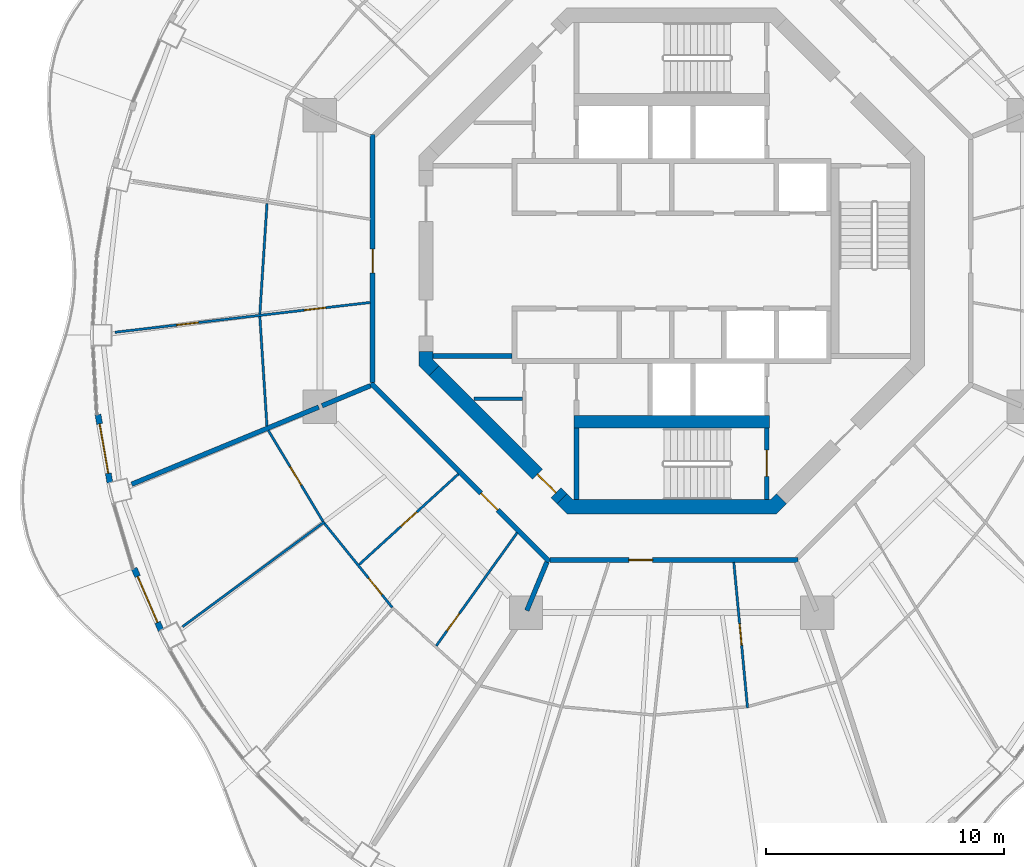
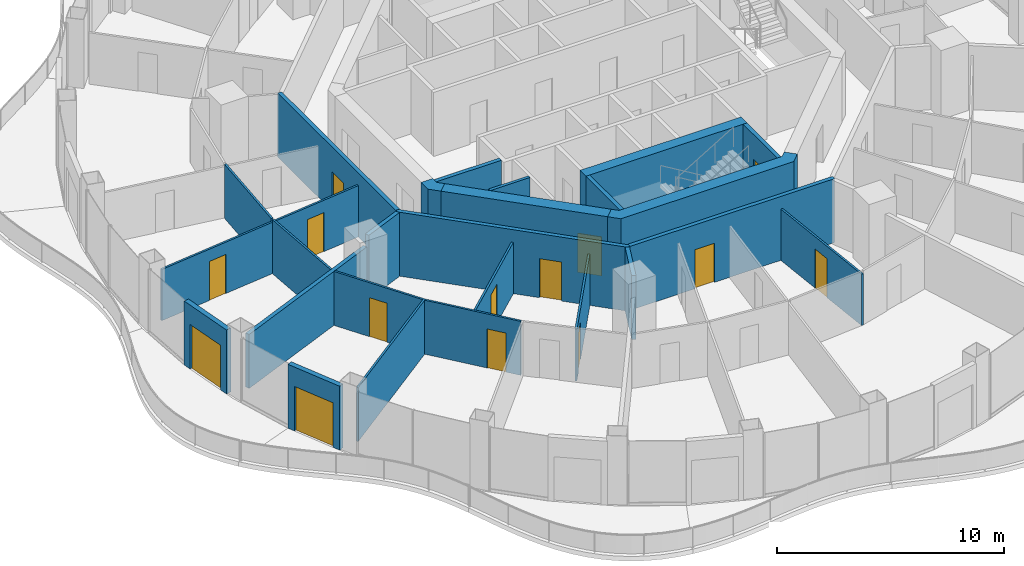
# One storey, part 10 of 18: 25 walls, 14 doors, 14 openings.
"""IFC4 building model written with IfcOpenShell, lengths in metres."""

from ifc_helpers import new_model, si_unit, direction, frame, frame_2d, origin, place, context, subcontext, project, spatial, polyline, rectangle, outline, extrude, material, layer, layer_set, type_object, element, fill, save


model = new_model("IFC4")

# Units and contexts
model_context = context("Model", 3, precision=1e-05, world=origin(), true_north=direction((0.0, 1.0)))
body_context = subcontext(model_context, "Body", "Model", "MODEL_VIEW")
ifc_project = project(units=[si_unit("LENGTHUNIT", "METRE"), si_unit("AREAUNIT", "SQUARE_METRE"), si_unit("VOLUMEUNIT", "CUBIC_METRE"), si_unit("PLANEANGLEUNIT", "RADIAN"), si_unit("MASSUNIT", "GRAM", prefix="KILO")], contexts=[model_context])

# Site, building, storey
site_placement = place(None, origin())
site = spatial("IfcSite", under=ifc_project, at=site_placement, CompositionType="ELEMENT")
building_placement = place(site_placement, origin())
building = spatial("IfcBuilding", under=site, at=building_placement, Name="Nagisa Residences", CompositionType="ELEMENT")
storey_placement = place(building_placement, frame((0.0, 0.0, 284.39990234375)))
storey = spatial("IfcBuildingStorey", under=building, at=storey_placement, Name="L72", CompositionType="ELEMENT", Elevation=284.39990234375)

# Walls
ifc_material_1 = material(Name="Gypsum board on steel studs", Category="steel")
ifc_layer_1 = layer(ifc_material_1, 0.199951171875)
ifc_layer_set_1 = layer_set([ifc_layer_1], Name="Apartment compartment wall EI60 200")
wall_type_1 = type_object("IfcWallType", Name="Apartment compartment wall EI60 200", PredefinedType="PARTITIONING", material=ifc_layer_set_1)
wall_1_placement = place(storey_placement, frame((-12.6572265625, -5.24267578125, 0.0), z_axis=(0.0, 0.0, 1.0), x_axis=(-0.923859888513, -0.38273085373, 0.0)))
element("IfcWall", 1, at=wall_1_placement, inside=storey, type_object=wall_type_1, Name="wall:L72:u06", PredefinedType="PARTITIONING", context=body_context, shape_type="SweptSolid", body=[
    extrude(rectangle(XDim=2.199462890625, YDim=0.199951171875, at=frame_2d((1.099609375, 0.0))), origin(), (0.0, 0.0, 1.0), 3.440185546875),
])
wall_2_placement = place(storey_placement, frame((-14.828369140625, -6.14208984375, 0.0), z_axis=(0.0, 0.0, 1.0), x_axis=(-0.924478087429, -0.381235184451, 0.0)))
element("IfcWall", 2, at=wall_2_placement, inside=storey, type_object=wall_type_1, Name="wall:L72:u07", PredefinedType="PARTITIONING", context=body_context, shape_type="SweptSolid", body=[
    extrude(rectangle(XDim=8.499267578125, YDim=0.199951171875, at=frame_2d((4.24951171875, 0.0))), origin(), (0.0, 0.0, 1.0), 2.905029296875),
])
wall_3_placement = place(storey_placement, frame((-5.24267578125, -12.6572265625, 0.0), z_axis=(0.0, 0.0, 1.0), x_axis=(-0.382770106157, -0.923843626288, 0.0)))
element("IfcWall", 3, at=wall_3_placement, inside=storey, type_object=wall_type_1, Name="wall:L72:u08", PredefinedType="PARTITIONING", context=body_context, shape_type="SweptSolid", body=[
    extrude(rectangle(XDim=2.19921875, YDim=0.199951171875, at=frame_2d((1.099609375, 0.0))), origin(), (0.0, 0.0, 1.0), 3.440185546875),
])

# Wall, opening, door
ifc_material_2 = material(Name="Gypsum board on steel studs", Category="steel")
ifc_layer_2 = layer(ifc_material_2, 0.199951171875)
ifc_layer_set_2 = layer_set([ifc_layer_2], Name="Apartment entry wall EI60 200")
wall_type_2 = type_object("IfcWallType", Name="Apartment entry wall EI60 200", PredefinedType="PARTITIONING", material=ifc_layer_set_2)
wall_4_placement = place(storey_placement, frame((-12.564697265625, 5.304443359375, 0.0), z_axis=(0.0, 0.0, 1.0), x_axis=(0.0, -1.0, 0.0)))
wall_4 = element("IfcWall", 4, at=wall_4_placement, inside=storey, type_object=wall_type_2, Name="wall:L72:u18", PredefinedType="PARTITIONING", context=body_context, shape_type="SweptSolid", body=[
    extrude(rectangle(XDim=10.408935546875, YDim=0.199951171875, at=frame_2d((5.20458984375, 0.0))), origin(), (0.0, 0.0, 1.0), 3.440185546875),
])
opening_1_placement = place(wall_4_placement, frame((4.804443359375, 0.0, 0.0)))
opening_1 = element("IfcOpeningElement", 5, at=opening_1_placement, cuts=wall_4, Name="Opening L72-U35", PredefinedType="OPENING", context=body_context, shape_type="SweptSolid", body=[
    extrude(rectangle(XDim=1.0, YDim=2.10009765625, at=frame_2d((0.5, 1.050048828125))), frame((0.0, 0.10986328125, 0.0), z_axis=(0.0, -1.0, 0.0), x_axis=(1.0, 0.0, 0.0)), (0.0, 0.0, 1.0), 0.219970703125),
])
ifc_material_3 = material(Name="Timber fire door set", Category="wood")
door_type_1 = type_object("IfcDoorType", Name="Apartment entry door FD30S 1000x2100", OperationType="NOTDEFINED", PredefinedType="DOOR", material=ifc_material_3)
door_1_placement = place(opening_1_placement, frame((1.0, 0.0, 0.0), x_axis=(-1.0, 0.0, 0.0)))
door_1 = element("IfcDoor", 6, at=door_1_placement, inside=storey, type_object=door_type_1, Name="Entry door, Apartment 72G", OperationType="SINGLE_SWING_RIGHT", OverallHeight=2.10009765625, OverallWidth=1.0, PredefinedType="DOOR", context=body_context, shape_type="SweptSolid", body=[
    extrude(rectangle(XDim=1.0, YDim=2.10009765625, at=frame_2d((0.5, 1.050048828125))), frame((0.0, 0.02490234375, 0.0), z_axis=(0.0, -1.0, 0.0), x_axis=(1.0, 0.0, 0.0)), (0.0, 0.0, 1.0), 0.050048828125),
])
fill(opening_1, door_1)

wall_5_placement = place(storey_placement, frame((-12.635498046875, -5.1337890625, 0.0), z_axis=(0.0, 0.0, 1.0), x_axis=(0.707106781187, -0.707106781187, 0.0)))
wall_5 = element("IfcWall", 7, at=wall_5_placement, inside=storey, type_object=wall_type_2, Name="wall:L72:u19", PredefinedType="PARTITIONING", context=body_context, shape_type="SweptSolid", body=[
    extrude(rectangle(XDim=10.609130859375, YDim=0.199951171875, at=frame_2d((5.3046875, 0.0))), origin(), (0.0, 0.0, 1.0), 3.440185546875),
])
opening_2_placement = place(wall_5_placement, frame((6.539306640625, 0.0, 0.0)))
opening_2 = element("IfcOpeningElement", 8, at=opening_2_placement, cuts=wall_5, Name="Opening L72-U01", PredefinedType="OPENING", context=body_context, shape_type="SweptSolid", body=[
    extrude(rectangle(XDim=1.0, YDim=2.10009765625, at=frame_2d((0.5, 1.050048828125))), frame((0.0, 0.10986328125, 0.0), z_axis=(0.0, -1.0, 0.0), x_axis=(1.0, 0.0, 0.0)), (0.0, 0.0, 1.0), 0.219970703125),
])
door_2_placement = place(opening_2_placement, frame((1.0, 0.0, 0.0), x_axis=(-1.0, 0.0, 0.0)))
door_2 = element("IfcDoor", 9, at=door_2_placement, inside=storey, type_object=door_type_1, Name="Entry door, Apartment 72A", OperationType="SINGLE_SWING_RIGHT", OverallHeight=2.10009765625, OverallWidth=1.0, PredefinedType="DOOR", context=body_context, shape_type="SweptSolid", body=[
    extrude(rectangle(XDim=1.0, YDim=2.10009765625, at=frame_2d((0.5, 1.050048828125))), frame((0.0, 0.02490234375, 0.0), z_axis=(0.0, -1.0, 0.0), x_axis=(1.0, 0.0, 0.0)), (0.0, 0.0, 1.0), 0.050048828125),
])
fill(opening_2, door_2)

wall_6_placement = place(storey_placement, frame((-5.1044921875, -12.564697265625, 0.0), z_axis=(0.0, 0.0, 1.0), x_axis=(1.0, 0.0, 0.0)))
wall_6 = element("IfcWall", 10, at=wall_6_placement, inside=storey, type_object=wall_type_2, Name="wall:L72:u20", PredefinedType="PARTITIONING", context=body_context, shape_type="SweptSolid", body=[
    extrude(rectangle(XDim=10.408935546875, YDim=0.199951171875, at=frame_2d((5.20458984375, 0.0))), origin(), (0.0, 0.0, 1.0), 3.440185546875),
])
opening_3_placement = place(wall_6_placement, frame((3.303466796875, 0.0, 0.0)))
opening_3 = element("IfcOpeningElement", 11, at=opening_3_placement, cuts=wall_6, Name="Opening L72-U07", PredefinedType="OPENING", context=body_context, shape_type="SweptSolid", body=[
    extrude(rectangle(XDim=1.0, YDim=2.10009765625, at=frame_2d((0.5, 1.050048828125))), frame((0.0, 0.10986328125, 0.0), z_axis=(0.0, -1.0, 0.0), x_axis=(1.0, 0.0, 0.0)), (0.0, 0.0, 1.0), 0.219970703125),
])
door_3_placement = place(opening_3_placement, frame((1.0, 0.0, 0.0), x_axis=(-1.0, 0.0, 0.0)))
door_3 = element("IfcDoor", 12, at=door_3_placement, inside=storey, type_object=door_type_1, Name="Entry door, Apartment 72B", OperationType="SINGLE_SWING_RIGHT", OverallHeight=2.10009765625, OverallWidth=1.0, PredefinedType="DOOR", context=body_context, shape_type="SweptSolid", body=[
    extrude(rectangle(XDim=1.0, YDim=2.10009765625, at=frame_2d((0.5, 1.050048828125))), frame((0.0, 0.02490234375, 0.0), z_axis=(0.0, -1.0, 0.0), x_axis=(1.0, 0.0, 0.0)), (0.0, 0.0, 1.0), 0.050048828125),
])
fill(opening_3, door_3)

# Wall
ifc_material_4 = material(Name="Gypsum board on steel studs", Category="steel")
ifc_layer_3 = layer(ifc_material_4, 0.10009765625)
ifc_layer_set_3 = layer_set([ifc_layer_3], Name="Apartment partition 100")
wall_type_3 = type_object("IfcWallType", Name="Apartment partition 100", PredefinedType="PARTITIONING", material=ifc_layer_set_3)
wall_7_placement = place(storey_placement, frame((-17.001708984375, 2.40869140625, 0.0), z_axis=(0.0, 0.0, 1.0), x_axis=(-0.064855550758, -0.997894662545, 0.0)))
element("IfcWall", 13, at=wall_7_placement, inside=storey, type_object=wall_type_3, Name="wall:L72:u47", PredefinedType="PARTITIONING", context=body_context, shape_type="SweptSolid", body=[
    extrude(rectangle(XDim=4.656494140625, YDim=0.10009765625, at=frame_2d((2.328125, 0.0))), origin(), (0.0, 0.0, 1.0), 2.905029296875),
])

# Wall, openings, doors
wall_8_placement = place(storey_placement, frame((-12.6640625, -1.746337890625, 0.0), z_axis=(0.0, 0.0, 1.0), x_axis=(-0.993264397529, -0.115869912409, 0.0)))
wall_8 = element("IfcWall", 14, at=wall_8_placement, inside=storey, type_object=wall_type_3, Name="wall:L72:u48", PredefinedType="PARTITIONING", context=body_context, shape_type="SweptSolid", body=[
    extrude(rectangle(XDim=10.792236328125, YDim=0.10009765625, at=frame_2d((5.39599609375, 0.0))), origin(), (0.0, 0.0, 1.0), 2.76220703125),
])
opening_4_placement = place(wall_8_placement, frame((1.88720703125, 0.0, 0.0)))
opening_4 = element("IfcOpeningElement", 15, at=opening_4_placement, cuts=wall_8, Name="Opening L72-U37", PredefinedType="OPENING", context=body_context, shape_type="SweptSolid", body=[
    extrude(rectangle(XDim=0.89990234375, YDim=2.10009765625, at=frame_2d((0.449951171875, 1.050048828125))), frame((0.0, 0.06005859375, 0.0), z_axis=(0.0, -1.0, 0.0), x_axis=(1.0, 0.0, 0.0)), (0.0, 0.0, 1.0), 0.1201171875),
])
opening_5_placement = place(wall_8_placement, frame((7.283203125, 0.0, 0.0)))
opening_5 = element("IfcOpeningElement", 16, at=opening_5_placement, cuts=wall_8, Name="Opening L72-U40", PredefinedType="OPENING", context=body_context, shape_type="SweptSolid", body=[
    extrude(rectangle(XDim=0.89990234375, YDim=2.10009765625, at=frame_2d((0.449951171875, 1.050048828125))), frame((0.0, 0.06005859375, 0.0), z_axis=(0.0, -1.0, 0.0), x_axis=(1.0, 0.0, 0.0)), (0.0, 0.0, 1.0), 0.1201171875),
])
ifc_material_5 = material(Name="Timber door set", Category="wood")
door_type_2 = type_object("IfcDoorType", Name="Apartment door 900x2100", OperationType="NOTDEFINED", PredefinedType="DOOR", material=ifc_material_5)
door_4_placement = place(opening_4_placement, origin())
door_4 = element("IfcDoor", 17, at=door_4_placement, inside=storey, type_object=door_type_2, Name="Door to family bathroom, Apartment 72G", OperationType="SINGLE_SWING_LEFT", OverallHeight=2.10009765625, OverallWidth=0.89990234375, PredefinedType="DOOR", context=body_context, shape_type="SweptSolid", body=[
    extrude(rectangle(XDim=0.89990234375, YDim=2.10009765625, at=frame_2d((0.449951171875, 1.050048828125))), frame((0.0, 0.02490234375, 0.0), z_axis=(0.0, -1.0, 0.0), x_axis=(1.0, 0.0, 0.0)), (0.0, 0.0, 1.0), 0.050048828125),
])
fill(opening_4, door_4)
door_5_placement = place(opening_5_placement, origin())
door_5 = element("IfcDoor", 18, at=door_5_placement, inside=storey, type_object=door_type_2, Name="Door to master bedroom, Apartment 72G", OperationType="SINGLE_SWING_RIGHT", OverallHeight=2.10009765625, OverallWidth=0.89990234375, PredefinedType="DOOR", context=body_context, shape_type="SweptSolid", body=[
    extrude(rectangle(XDim=0.89990234375, YDim=2.10009765625, at=frame_2d((0.449951171875, 1.050048828125))), frame((0.0, 0.02490234375, 0.0), z_axis=(0.0, -1.0, 0.0), x_axis=(1.0, 0.0, 0.0)), (0.0, 0.0, 1.0), 0.050048828125),
])
fill(opening_5, door_5)

# Wall
wall_9_placement = place(storey_placement, frame((-17.3037109375, -2.337890625, 0.0), z_axis=(0.0, 0.0, 1.0), x_axis=(0.06500001157, -0.997885263192, 0.0)))
element("IfcWall", 19, at=wall_9_placement, inside=storey, type_object=wall_type_3, Name="wall:L72:u49", PredefinedType="PARTITIONING", context=body_context, shape_type="SweptSolid", body=[
    extrude(rectangle(XDim=4.608642578125, YDim=0.10009765625, at=frame_2d((2.30419921875, 0.0))), origin(), (0.0, 0.0, 1.0), 2.905029296875),
])

# Wall, opening, door
wall_10_placement = place(storey_placement, frame((-16.9462890625, -7.122314453125, 0.0), z_axis=(0.0, 0.0, 1.0), x_axis=(0.514994556856, -0.857193447483, 0.0)))
wall_10 = element("IfcWall", 20, at=wall_10_placement, inside=storey, type_object=wall_type_3, Name="wall:L72:u50", PredefinedType="PARTITIONING", context=body_context, shape_type="SweptSolid", body=[
    extrude(rectangle(XDim=4.4619140625, YDim=0.10009765625, at=frame_2d((2.23095703125, 0.0))), origin(), (0.0, 0.0, 1.0), 2.905029296875),
])
opening_6_placement = place(wall_10_placement, frame((1.781005859375, 0.0, 0.0)))
opening_6 = element("IfcOpeningElement", 21, at=opening_6_placement, cuts=wall_10, Name="Opening L72-U04", PredefinedType="OPENING", context=body_context, shape_type="SweptSolid", body=[
    extrude(rectangle(XDim=0.89990234375, YDim=2.10009765625, at=frame_2d((0.449951171875, 1.050048828125))), frame((0.0, 0.06005859375, 0.0), z_axis=(0.0, -1.0, 0.0), x_axis=(1.0, 0.0, 0.0)), (0.0, 0.0, 1.0), 0.1201171875),
])
door_6_placement = place(opening_6_placement, frame((0.89990234375, 0.0, 0.0), x_axis=(-1.0, 0.0, 0.0)))
door_6 = element("IfcDoor", 22, at=door_6_placement, inside=storey, type_object=door_type_2, Name="Door to kitchen, Apartment 72A", OperationType="SINGLE_SWING_LEFT", OverallHeight=2.10009765625, OverallWidth=0.89990234375, PredefinedType="DOOR", context=body_context, shape_type="SweptSolid", body=[
    extrude(rectangle(XDim=0.89990234375, YDim=2.10009765625, at=frame_2d((0.449951171875, 1.050048828125))), frame((0.0, 0.02490234375, 0.0), z_axis=(0.0, -1.0, 0.0), x_axis=(1.0, 0.0, 0.0)), (0.0, 0.0, 1.0), 0.050048828125),
])
fill(opening_6, door_6)

# Wall
wall_11_placement = place(storey_placement, frame((-14.582275390625, -10.960205078125, 0.0), z_axis=(0.0, 0.0, 1.0), x_axis=(-0.804405200554, -0.594081032623, 0.0)))
element("IfcWall", 23, at=wall_11_placement, inside=storey, type_object=wall_type_3, Name="wall:L72:u51", PredefinedType="PARTITIONING", context=body_context, shape_type="SweptSolid", body=[
    extrude(rectangle(XDim=7.41845703125, YDim=0.10009765625, at=frame_2d((3.709228515625, 0.0))), origin(), (0.0, 0.0, 1.0), 2.905029296875),
])

# Wall, opening, door
wall_12_placement = place(storey_placement, frame((-14.59130859375, -11.02880859375, 0.0), z_axis=(0.0, 0.0, 1.0), x_axis=(0.628170338674, -0.778075848237, 0.0)))
wall_12 = element("IfcWall", 24, at=wall_12_placement, inside=storey, type_object=wall_type_3, Name="wall:L72:u52", PredefinedType="PARTITIONING", context=body_context, shape_type="SweptSolid", body=[
    extrude(rectangle(XDim=4.532470703125, YDim=0.10009765625, at=frame_2d((2.26611328125, 0.0))), origin(), (0.0, 0.0, 1.0), 2.905029296875),
])
opening_7_placement = place(wall_12_placement, frame((2.94921875, 0.0, 0.0)))
opening_7 = element("IfcOpeningElement", 25, at=opening_7_placement, cuts=wall_12, Name="Opening L72-U05", PredefinedType="OPENING", context=body_context, shape_type="SweptSolid", body=[
    extrude(rectangle(XDim=0.89990234375, YDim=2.10009765625, at=frame_2d((0.449951171875, 1.050048828125))), frame((0.0, 0.06005859375, 0.0), z_axis=(0.0, -1.0, 0.0), x_axis=(1.0, 0.0, 0.0)), (0.0, 0.0, 1.0), 0.1201171875),
])
door_7_placement = place(opening_7_placement, frame((0.89990234375, 0.0, 0.0), x_axis=(-1.0, 0.0, 0.0)))
door_7 = element("IfcDoor", 26, at=door_7_placement, inside=storey, type_object=door_type_2, Name="Door to master bedroom, Apartment 72A", OperationType="SINGLE_SWING_RIGHT", OverallHeight=2.10009765625, OverallWidth=0.89990234375, PredefinedType="DOOR", context=body_context, shape_type="SweptSolid", body=[
    extrude(rectangle(XDim=0.89990234375, YDim=2.10009765625, at=frame_2d((0.449951171875, 1.050048828125))), frame((0.0, 0.02490234375, 0.0), z_axis=(0.0, -1.0, 0.0), x_axis=(1.0, 0.0, 0.0)), (0.0, 0.0, 1.0), 0.050048828125),
])
fill(opening_7, door_7)

wall_13_placement = place(storey_placement, frame((-8.95849609375, -8.9521484375, 0.0), z_axis=(0.0, 0.0, 1.0), x_axis=(-0.73876526954, -0.673962815385, 0.0)))
wall_13 = element("IfcWall", 27, at=wall_13_placement, inside=storey, type_object=wall_type_3, Name="wall:L72:u53", PredefinedType="PARTITIONING", context=body_context, shape_type="SweptSolid", body=[
    extrude(rectangle(XDim=5.6474609375, YDim=0.10009765625, at=frame_2d((2.82373046875, 0.0))), origin(), (0.0, 0.0, 1.0), 2.76220703125),
])
opening_8_placement = place(wall_13_placement, frame((2.373779296875, 0.0, 0.0)))
opening_8 = element("IfcOpeningElement", 28, at=opening_8_placement, cuts=wall_13, Name="Opening L72-U02", PredefinedType="OPENING", context=body_context, shape_type="SweptSolid", body=[
    extrude(rectangle(XDim=0.89990234375, YDim=2.10009765625, at=frame_2d((0.449951171875, 1.050048828125))), frame((0.0, 0.06005859375, 0.0), z_axis=(0.0, -1.0, 0.0), x_axis=(1.0, 0.0, 0.0)), (0.0, 0.0, 1.0), 0.1201171875),
])
door_8_placement = place(opening_8_placement, frame((0.89990234375, 0.0, 0.0), x_axis=(-1.0, 0.0, 0.0)))
door_8 = element("IfcDoor", 29, at=door_8_placement, inside=storey, type_object=door_type_2, Name="Door to store, Apartment 72A", OperationType="SINGLE_SWING_LEFT", OverallHeight=2.10009765625, OverallWidth=0.89990234375, PredefinedType="DOOR", context=body_context, shape_type="SweptSolid", body=[
    extrude(rectangle(XDim=0.89990234375, YDim=2.10009765625, at=frame_2d((0.449951171875, 1.050048828125))), frame((0.0, 0.02490234375, 0.0), z_axis=(0.0, -1.0, 0.0), x_axis=(1.0, 0.0, 0.0)), (0.0, 0.0, 1.0), 0.050048828125),
])
fill(opening_8, door_8)

wall_14_placement = place(storey_placement, frame((-6.489501953125, -11.41943359375, 0.0), z_axis=(0.0, 0.0, 1.0), x_axis=(-0.58201647594, -0.813176992871, 0.0)))
wall_14 = element("IfcWall", 30, at=wall_14_placement, inside=storey, type_object=wall_type_3, Name="wall:L72:u56", PredefinedType="PARTITIONING", context=body_context, shape_type="SweptSolid", body=[
    extrude(rectangle(XDim=5.84375, YDim=0.10009765625, at=frame_2d((2.921875, 0.0))), origin(), (0.0, 0.0, 1.0), 2.76220703125),
])
opening_9_placement = place(wall_14_placement, frame((4.169189453125, 0.0, 0.0)))
opening_9 = element("IfcOpeningElement", 31, at=opening_9_placement, cuts=wall_14, Name="Opening L72-U03", PredefinedType="OPENING", context=body_context, shape_type="SweptSolid", body=[
    extrude(rectangle(XDim=0.89990234375, YDim=2.10009765625, at=frame_2d((0.449951171875, 1.050048828125))), frame((0.0, 0.06005859375, 0.0), z_axis=(0.0, -1.0, 0.0), x_axis=(1.0, 0.0, 0.0)), (0.0, 0.0, 1.0), 0.1201171875),
])
door_9_placement = place(opening_9_placement, origin())
door_9 = element("IfcDoor", 32, at=door_9_placement, inside=storey, type_object=door_type_2, Name="Door to family bathroom, Apartment 72A", OperationType="SINGLE_SWING_LEFT", OverallHeight=2.10009765625, OverallWidth=0.89990234375, PredefinedType="DOOR", context=body_context, shape_type="SweptSolid", body=[
    extrude(rectangle(XDim=0.89990234375, YDim=2.10009765625, at=frame_2d((0.449951171875, 1.050048828125))), frame((0.0, 0.02490234375, 0.0), z_axis=(0.0, -1.0, 0.0), x_axis=(1.0, 0.0, 0.0)), (0.0, 0.0, 1.0), 0.050048828125),
])
fill(opening_9, door_9)

wall_15_placement = place(storey_placement, frame((2.611572265625, -12.664306640625, 0.0), z_axis=(0.0, 0.0, 1.0), x_axis=(0.093781393779, -0.995592813444, 0.0)))
wall_15 = element("IfcWall", 33, at=wall_15_placement, inside=storey, type_object=wall_type_3, Name="wall:L72:u62", PredefinedType="PARTITIONING", context=body_context, shape_type="SweptSolid", body=[
    extrude(rectangle(XDim=6.143798828125, YDim=0.10009765625, at=frame_2d((3.07177734375, 0.0))), origin(), (0.0, 0.0, 1.0), 2.76220703125),
])
opening_10_placement = place(wall_15_placement, frame((2.5966796875, 0.0, 0.0)))
opening_10 = element("IfcOpeningElement", 34, at=opening_10_placement, cuts=wall_15, Name="Opening L72-U10", PredefinedType="OPENING", context=body_context, shape_type="SweptSolid", body=[
    extrude(rectangle(XDim=0.89990234375, YDim=2.10009765625, at=frame_2d((0.449951171875, 1.050048828125))), frame((0.0, 0.06005859375, 0.0), z_axis=(0.0, -1.0, 0.0), x_axis=(1.0, 0.0, 0.0)), (0.0, 0.0, 1.0), 0.1201171875),
])
door_10_placement = place(opening_10_placement, origin())
door_10 = element("IfcDoor", 35, at=door_10_placement, inside=storey, type_object=door_type_2, Name="Door to laundry, Apartment 72B", OperationType="SINGLE_SWING_RIGHT", OverallHeight=2.10009765625, OverallWidth=0.89990234375, PredefinedType="DOOR", context=body_context, shape_type="SweptSolid", body=[
    extrude(rectangle(XDim=0.89990234375, YDim=2.10009765625, at=frame_2d((0.449951171875, 1.050048828125))), frame((0.0, 0.02490234375, 0.0), z_axis=(0.0, -1.0, 0.0), x_axis=(1.0, 0.0, 0.0)), (0.0, 0.0, 1.0), 0.050048828125),
])
fill(opening_10, door_10)

ifc_material_6 = material(Name="Precast concrete C40/50", Category="concrete")
ifc_layer_4 = layer(ifc_material_6, 0.25)
ifc_layer_set_4 = layer_set([ifc_layer_4], Name="BALCONY DOOR WALL 250")
wall_type_4 = type_object("IfcWallType", Name="BALCONY DOOR WALL 250", PredefinedType="SOLIDWALL", material=ifc_layer_set_4)
wall_16_placement = place(storey_placement, frame((-23.603515625, -9.31494140625, 0.0), z_axis=(0.0, 0.0, 1.0), x_axis=(-0.172182411767, 0.985065082661, 0.0)))
wall_16 = element("IfcWall", 36, at=wall_16_placement, inside=storey, type_object=wall_type_4, Name="wall:L72:bay25", PredefinedType="SOLIDWALL", context=body_context, shape_type="SweptSolid", body=[
    extrude(rectangle(XDim=2.902587890625, YDim=0.25, at=frame_2d((1.451171875, 0.0))), origin(), (0.0, 0.0, 1.0), 3.440185546875),
])
opening_11_placement = place(wall_16_placement, frame((0.401123046875, 0.0, 0.0)))
opening_11 = element("IfcOpeningElement", 37, at=opening_11_placement, cuts=wall_16, Name="Opening BD-L72-09", PredefinedType="OPENING", context=body_context, shape_type="SweptSolid", body=[
    extrude(rectangle(XDim=2.10009765625, YDim=2.39990234375, at=frame_2d((1.050048828125, 1.199951171875))), frame((0.0, 0.135009765625, 0.0), z_axis=(0.0, -1.0, 0.0), x_axis=(1.0, 0.0, 0.0)), (0.0, 0.0, 1.0), 0.27001953125),
])
ifc_material_7 = material(Name="Aluminium and clear glass", Category="aluminium")
door_type_3 = type_object("IfcDoorType", Name="BALCONY SLIDING DOOR 2100x2400", OperationType="SLIDING_TO_LEFT", PredefinedType="DOOR", material=ifc_material_7)
door_11_placement = place(opening_11_placement, origin())
door_11 = element("IfcDoor", 38, at=door_11_placement, inside=storey, type_object=door_type_3, Name="door:L72:bay25", OperationType="SLIDING_TO_LEFT", OverallHeight=2.39990234375, OverallWidth=2.10009765625, PredefinedType="DOOR", context=body_context, shape_type="SweptSolid", body=[
    extrude(rectangle(XDim=2.10009765625, YDim=2.39990234375, at=frame_2d((1.050048828125, 1.199951171875))), frame((0.0, 0.02490234375, 0.0), z_axis=(0.0, -1.0, 0.0), x_axis=(1.0, 0.0, 0.0)), (0.0, 0.0, 1.0), 0.050048828125),
])
fill(opening_11, door_11)

wall_17_placement = place(storey_placement, frame((-21.453857421875, -15.525146484375, 0.0), z_axis=(0.0, 0.0, 1.0), x_axis=(-0.397597791596, 0.9175598052, 0.0)))
wall_17 = element("IfcWall", 39, at=wall_17_placement, inside=storey, type_object=wall_type_4, Name="wall:L72:bay27", PredefinedType="SOLIDWALL", context=body_context, shape_type="SweptSolid", body=[
    extrude(rectangle(XDim=2.841064453125, YDim=0.25, at=frame_2d((1.42041015625, 0.0))), origin(), (0.0, 0.0, 1.0), 3.440185546875),
])
opening_12_placement = place(wall_17_placement, frame((0.37060546875, 0.0, 0.0)))
opening_12 = element("IfcOpeningElement", 40, at=opening_12_placement, cuts=wall_17, Name="Opening BD-L72-10", PredefinedType="OPENING", context=body_context, shape_type="SweptSolid", body=[
    extrude(rectangle(XDim=2.10009765625, YDim=2.39990234375, at=frame_2d((1.050048828125, 1.199951171875))), frame((0.0, 0.135009765625, 0.0), z_axis=(0.0, -1.0, 0.0), x_axis=(1.0, 0.0, 0.0)), (0.0, 0.0, 1.0), 0.27001953125),
])
door_12_placement = place(opening_12_placement, origin())
door_12 = element("IfcDoor", 41, at=door_12_placement, inside=storey, type_object=door_type_3, Name="door:L72:bay27", OperationType="SLIDING_TO_LEFT", OverallHeight=2.39990234375, OverallWidth=2.10009765625, PredefinedType="DOOR", context=body_context, shape_type="SweptSolid", body=[
    extrude(rectangle(XDim=2.10009765625, YDim=2.39990234375, at=frame_2d((1.050048828125, 1.199951171875))), frame((0.0, 0.02490234375, 0.0), z_axis=(0.0, -1.0, 0.0), x_axis=(1.0, 0.0, 0.0)), (0.0, 0.0, 1.0), 0.050048828125),
])
fill(opening_12, door_12)

# Walls
ifc_material_8 = material(Name="Gypsum board on steel studs", Category="steel")
ifc_layer_5 = layer(ifc_material_8, 0.14990234375)
ifc_layer_set_5 = layer_set([ifc_layer_5], Name="Core partition 150")
wall_type_5 = type_object("IfcWallType", Name="Core partition 150", PredefinedType="PARTITIONING", material=ifc_layer_set_5)
wall_18_placement = place(storey_placement, frame((-8.301025390625, -5.800048828125, 0.0), z_axis=(0.0, 0.0, 1.0), x_axis=(1.0, 0.0, 0.0)))
element("IfcWall", 42, at=wall_18_placement, inside=storey, type_object=wall_type_5, Name="wall:L72:SWq", PredefinedType="PARTITIONING", context=body_context, shape_type="SweptSolid", body=[
    extrude(rectangle(XDim=2.026123046875, YDim=0.14990234375, at=frame_2d((1.01318359375, 0.0))), origin(), (0.0, 0.0, 1.0), 3.440185546875),
])
ifc_material_9 = material(Name="Gypsum board on steel studs", Category="steel")
ifc_layer_6 = layer(ifc_material_9, 0.199951171875)
ifc_layer_set_6 = layer_set([ifc_layer_6], Name="Core partition 200")
wall_type_6 = type_object("IfcWallType", Name="Core partition 200", PredefinedType="PARTITIONING", material=ifc_layer_set_6)
wall_19_placement = place(storey_placement, frame((-10.024658203125, -4.0, 0.0), z_axis=(0.0, 0.0, 1.0), x_axis=(1.0, 0.0, 0.0)))
element("IfcWall", 43, at=wall_19_placement, inside=storey, type_object=wall_type_6, Name="wall:L72:PSW", PredefinedType="PARTITIONING", context=body_context, shape_type="SweptSolid", body=[
    extrude(rectangle(XDim=3.32470703125, YDim=0.199951171875, at=frame_2d((1.662353515625, 0.0))), origin(), (0.0, 0.0, 1.0), 3.440185546875),
])

# Wall, opening, door
ifc_material_10 = material(Name="Concrete C60", Category="concrete")
ifc_layer_7 = layer(ifc_material_10, 0.60009765625)
ifc_layer_set_7 = layer_set([ifc_layer_7], Name="Core shear wall 600")
wall_type_7 = type_object("IfcWallType", Name="Core shear wall 600", PredefinedType="SHEAR", material=ifc_layer_set_7)
wall_20_placement = place(storey_placement, frame((-9.98828125, -4.613037109375, 0.0), z_axis=(0.0, 0.0, 1.0), x_axis=(0.707106781187, -0.707106781187, 0.0)))
wall_20 = element("IfcWall", 44, at=wall_20_placement, inside=storey, type_object=wall_type_7, Name="wall:L72:core:flat5", PredefinedType="SHEAR", context=body_context, shape_type="SweptSolid", body=[
    extrude(rectangle(XDim=7.601806640625, YDim=0.60009765625, at=frame_2d((3.80078125, 0.0))), origin(), (0.0, 0.0, 1.0), 3.440185546875),
])
opening_13_placement = place(wall_20_placement, frame((6.15087890625, 0.0, 0.0)))
opening_13 = element("IfcOpeningElement", 45, at=opening_13_placement, cuts=wall_20, Name="Opening L72-C26", PredefinedType="OPENING", context=body_context, shape_type="SweptSolid", body=[
    extrude(rectangle(XDim=1.10009765625, YDim=2.10009765625, at=frame_2d((0.550048828125, 1.050048828125))), frame((0.0, 0.31005859375, 0.0), z_axis=(0.0, -1.0, 0.0), x_axis=(1.0, 0.0, 0.0)), (0.0, 0.0, 1.0), 0.6201171875),
])
ifc_material_11 = material(Name="Steel fire door", Category="steel")
door_type_4 = type_object("IfcDoorType", Name="Fire door EI60 1100x2100 single swing", OperationType="NOTDEFINED", PredefinedType="DOOR", material=ifc_material_11)
door_13_placement = place(opening_13_placement, origin())
door_13 = element("IfcDoor", 46, at=door_13_placement, inside=storey, type_object=door_type_4, Name="Housekeeping lobby door L72", OperationType="SINGLE_SWING_LEFT", OverallHeight=2.10009765625, OverallWidth=1.10009765625, PredefinedType="DOOR", context=body_context, shape_type="SweptSolid", body=[
    extrude(rectangle(XDim=1.10009765625, YDim=2.10009765625, at=frame_2d((0.550048828125, 1.050048828125))), frame((0.0, 0.02490234375, 0.0), z_axis=(0.0, -1.0, 0.0), x_axis=(1.0, 0.0, 0.0)), (0.0, 0.0, 1.0), 0.050048828125),
])
fill(opening_13, door_13)

# Walls
wall_21_placement = place(storey_placement, origin())
element("IfcWall", 47, at=wall_21_placement, inside=storey, type_object=wall_type_7, Name="wall:L72:core:pier4", PredefinedType="SHEAR", context=body_context, shape_type="SweptSolid", body=[
    extrude(outline(polyline([(-10.62451171875, -3.80078125), (-10.024658203125, -3.80078125), (-10.024658203125, -4.15234375), (-9.776123046875, -4.40087890625), (-10.200439453125, -4.8251953125), (-10.62451171875, -4.40087890625), (-10.62451171875, -3.80078125)])), origin(), (0.0, 0.0, 1.0), 3.440185546875),
])
wall_22_placement = place(storey_placement, origin())
element("IfcWall", 48, at=wall_22_placement, inside=storey, type_object=wall_type_7, Name="wall:L72:core:flat6", PredefinedType="SHEAR", context=body_context, shape_type="SweptSolid", body=[
    extrude(outline(polyline([(-4.15234375, -10.024658203125), (4.15234375, -10.024658203125), (4.40087890625, -9.776123046875), (4.8251953125, -10.200439453125), (4.40087890625, -10.62451171875), (-4.40087890625, -10.62451171875), (-4.8251953125, -10.200439453125), (-4.40087890625, -9.776123046875), (-4.15234375, -10.024658203125)])), origin(), (0.0, 0.0, 1.0), 3.440185546875),
])

# Wall, opening, door
ifc_material_12 = material(Name="Concrete C60", Category="concrete")
ifc_layer_8 = layer(ifc_material_12, 0.199951171875)
ifc_layer_set_8 = layer_set([ifc_layer_8], Name="Stair enclosure wall 200")
wall_type_8 = type_object("IfcWallType", Name="Stair enclosure wall 200", PredefinedType="SOLIDWALL", material=ifc_layer_set_8)
wall_23_placement = place(storey_placement, frame((4.0, -10.024658203125, 0.0), z_axis=(0.0, 0.0, 1.0), x_axis=(0.0, 1.0, 0.0)))
wall_23 = element("IfcWall", 49, at=wall_23_placement, inside=storey, type_object=wall_type_8, Name="wall:L72:SS_e", PredefinedType="SOLIDWALL", context=body_context, shape_type="SweptSolid", body=[
    extrude(rectangle(XDim=3.0, YDim=0.199951171875, at=frame_2d((1.5, 0.0))), origin(), (0.0, 0.0, 1.0), 3.440185546875),
])
opening_14_placement = place(wall_23_placement, frame((0.974609375, 0.0, 0.0)))
opening_14 = element("IfcOpeningElement", 50, at=opening_14_placement, cuts=wall_23, Name="Opening L72-C09", PredefinedType="OPENING", context=body_context, shape_type="SweptSolid", body=[
    extrude(rectangle(XDim=1.10009765625, YDim=2.10009765625, at=frame_2d((0.550048828125, 1.050048828125))), frame((0.0, 0.10986328125, 0.0), z_axis=(0.0, -1.0, 0.0), x_axis=(1.0, 0.0, 0.0)), (0.0, 0.0, 1.0), 0.219970703125),
])
ifc_material_13 = material(Name="Steel fire door", Category="steel")
door_type_5 = type_object("IfcDoorType", Name="Fire door EI90 1100x2100 single swing", OperationType="NOTDEFINED", PredefinedType="DOOR", material=ifc_material_13)
door_14_placement = place(opening_14_placement, origin())
door_14 = element("IfcDoor", 51, at=door_14_placement, inside=storey, type_object=door_type_5, Name="Stair door ST-S L72", OperationType="SINGLE_SWING_LEFT", OverallHeight=2.10009765625, OverallWidth=1.10009765625, PredefinedType="DOOR", context=body_context, shape_type="SweptSolid", body=[
    extrude(rectangle(XDim=1.10009765625, YDim=2.10009765625, at=frame_2d((0.550048828125, 1.050048828125))), frame((0.0, 0.02490234375, 0.0), z_axis=(0.0, -1.0, 0.0), x_axis=(1.0, 0.0, 0.0)), (0.0, 0.0, 1.0), 0.050048828125),
])
fill(opening_14, door_14)

# Walls
wall_24_placement = place(storey_placement, origin())
element("IfcWall", 52, at=wall_24_placement, inside=storey, type_object=wall_type_8, Name="wall:L72:SS_w", PredefinedType="SOLIDWALL", context=body_context, shape_type="SweptSolid", body=[
    extrude(outline(polyline([(-3.89990234375, -10.024658203125), (-4.10009765625, -10.024658203125), (-4.10009765625, -7.024658203125), (-3.89990234375, -7.024658203125), (-3.89990234375, -10.024658203125)])), origin(), (0.0, 0.0, 1.0), 3.440185546875),
])
wall_25_placement = place(storey_placement, origin())
element("IfcWall", 53, at=wall_25_placement, inside=storey, type_object=wall_type_8, Name="wall:L72:SS_n", PredefinedType="SOLIDWALL", context=body_context, shape_type="SweptSolid", body=[
    extrude(outline(polyline([(4.10009765625, -7.024658203125), (-4.10009765625, -7.024658203125), (-4.10009765625, -6.5), (4.10009765625, -6.5), (4.10009765625, -7.024658203125)])), origin(), (0.0, 0.0, 1.0), 3.440185546875),
])

save(model, "model.ifc")
